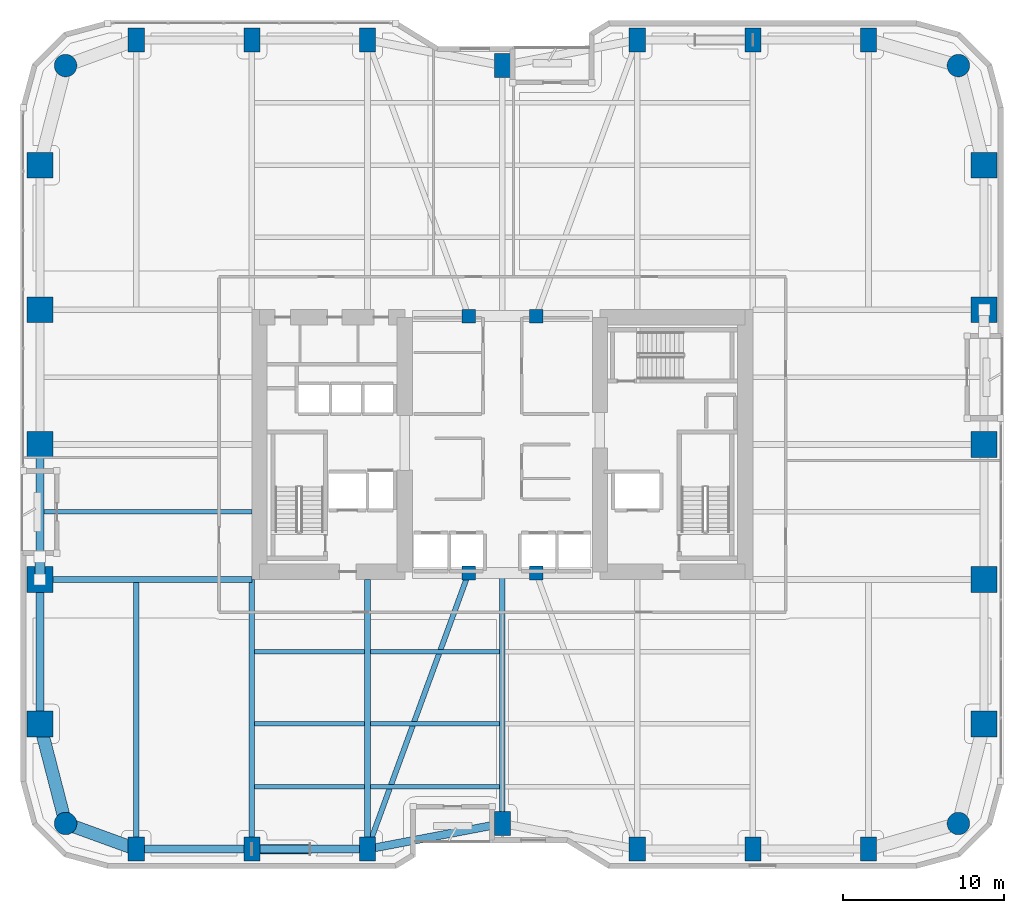
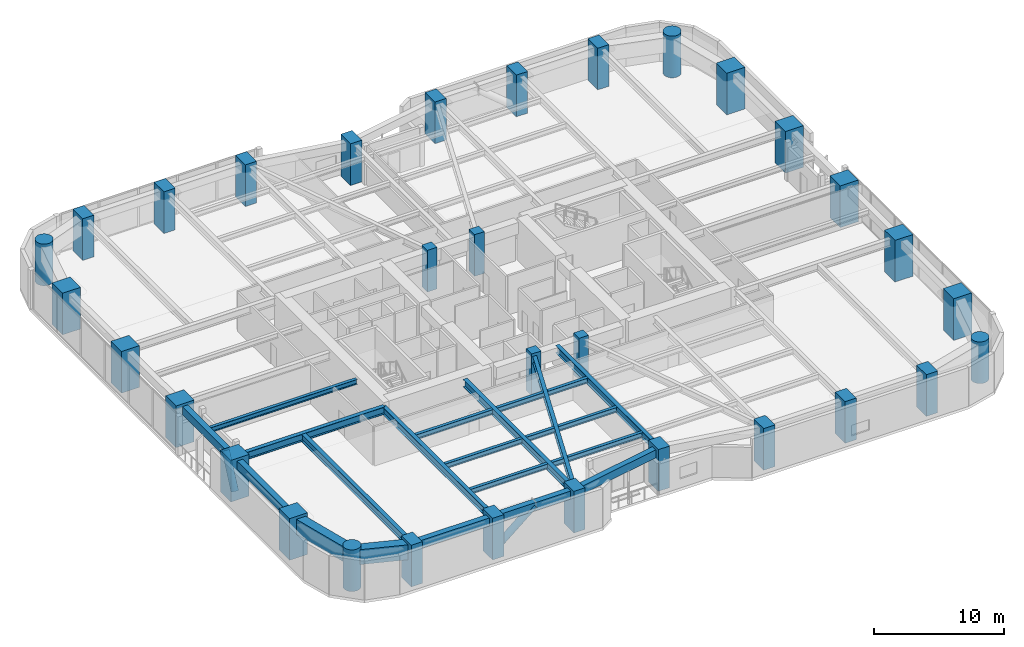
# One storey, part 1 of 29: 32 columns, 20 beams, 2 members.
"""IFC4 building model written with IfcOpenShell, lengths in metres."""

from ifc_helpers import new_model, si_unit, direction, frame, origin, origin_2d, place, context, subcontext, project, spatial, rectangle, circle, hollow_circle, i_section, extrude, material, material_profile, profile_set, type_object, element, save


model = new_model("IFC4")

# Units and contexts
model_context = context("Model", 3, precision=1e-05, world=origin(), true_north=direction((0.0, 1.0)))
body_context = subcontext(model_context, "Body", "Model", "MODEL_VIEW")
ifc_project = project(units=[si_unit("LENGTHUNIT", "METRE"), si_unit("AREAUNIT", "SQUARE_METRE"), si_unit("VOLUMEUNIT", "CUBIC_METRE"), si_unit("PLANEANGLEUNIT", "RADIAN"), si_unit("MASSUNIT", "GRAM", prefix="KILO")], contexts=[model_context])

# Site, building, storey
site_placement = place(None, origin())
site = spatial("IfcSite", under=ifc_project, at=site_placement, CompositionType="ELEMENT")
building_placement = place(site_placement, origin())
building = spatial("IfcBuilding", under=site, at=building_placement, Name="Kiyonajd Concourse Tower", CompositionType="ELEMENT")
storey_placement = place(building_placement, frame((0.0, 0.0, 25.5)))
storey = spatial("IfcBuildingStorey", under=building, at=storey_placement, Name="L07", CompositionType="ELEMENT", Elevation=25.5)

# Columns
ifc_material_1 = material(Name="Concrete C80/95", Category="concrete")
ifc_material_profile_1 = material_profile(ifc_material_1, rectangle(XDim=1.0, YDim=1.5, at=origin_2d()), Name="RC-1500x1000")
ifc_profile_set_1 = profile_set([ifc_material_profile_1], Name="Concrete C80/95")
column_type_1 = type_object("IfcColumnType", Name="CL-BLADE-1500", PredefinedType="COLUMN", material=ifc_profile_set_1)
for number, where, z_axis, x_axis, name in (
    (1, (25.199951171875, 10.800048828125, 0.0), (0.0, 0.0, 1.0), (1.0, 0.0, 0.0), "L07 Perimeter Bundled Tube Column"),
    (2, (25.199951171875, 61.199951171875, 0.0), (0.0, 0.0, 1.0), (1.0, 0.0, 0.0), "L07 Perimeter Bundled Tube Column"),
    (3, (32.39990234375, 10.800048828125, 0.0), (0.0, 0.0, 1.0), (1.0, 0.0, 0.0), "L07 Perimeter Bundled Tube Column"),
    (4, (32.39990234375, 61.199951171875, 0.0), (0.0, 0.0, 1.0), (1.0, 0.0, 0.0), "L07 Perimeter Bundled Tube Column"),
    (5, (39.60009765625, 10.800048828125, 0.0), (0.0, 0.0, 1.0), (1.0, 0.0, 0.0), "L07 Perimeter Bundled Tube Column"),
    (6, (39.60009765625, 61.199951171875, 0.0), (0.0, 0.0, 1.0), (1.0, 0.0, 0.0), "L07 Perimeter Bundled Tube Column"),
    (7, (48.0, 12.39990234375, 0.0), (0.0, 0.0, 1.0), (1.0, 0.0, 0.0), "L07 Perimeter Bundled Tube Column"),
    (8, (48.0, 59.60009765625, 0.0), (0.0, 0.0, 1.0), (1.0, 0.0, 0.0), "L07 Perimeter Bundled Tube Column"),
    (9, (56.39990234375, 10.800048828125, 0.0), (0.0, 0.0, 1.0), (1.0, 0.0, 0.0), "L07 Perimeter Bundled Tube Column"),
    (10, (56.39990234375, 61.199951171875, 0.0), (0.0, 0.0, 1.0), (1.0, 0.0, 0.0), "L07 Perimeter Bundled Tube Column"),
    (11, (63.60009765625, 10.800048828125, 0.0), (0.0, 0.0, 1.0), (1.0, 0.0, 0.0), "L07 Perimeter Bundled Tube Column"),
    (12, (63.60009765625, 61.199951171875, 0.0), (0.0, 0.0, 1.0), (1.0, 0.0, 0.0), "L07 Perimeter Bundled Tube Column"),
    (13, (70.800048828125, 10.800048828125, 0.0), (0.0, 0.0, 1.0), (1.0, 0.0, 0.0), "L07 Perimeter Bundled Tube Column"),
    (14, (70.800048828125, 61.199951171875, 0.0), (0.0, 0.0, 1.0), (1.0, 0.0, 0.0), "L07 Perimeter Bundled Tube Column"),
):
    element("IfcColumn", number, at=place(storey_placement, frame(where, z_axis=z_axis, x_axis=x_axis)), inside=storey, type_object=column_type_1, Name=name, PredefinedType="COLUMN", context=body_context, shape_type="SweptSolid", body=[
        extrude(rectangle(XDim=1.0, YDim=1.5, at=origin_2d()), origin(), (0.0, 0.0, 1.0), 3.89990234375),
    ])
ifc_material_profile_2 = material_profile(ifc_material_1, circle(Radius=0.699951171875, at=origin_2d()), Name="RCC-D1400")
ifc_profile_set_2 = profile_set([ifc_material_profile_2], Name="Concrete C80/95")
column_type_2 = type_object("IfcColumnType", Name="CL-RND-1400", PredefinedType="COLUMN", material=ifc_profile_set_2)
for number, where, z_axis, x_axis, name in (
    (15, (20.800048828125, 12.39990234375, 0.0), (0.0, 0.0, 1.0), (1.0, 0.0, 0.0), "L07 Bundled Tube Corner Column South West"),
    (16, (76.39990234375, 12.39990234375, 0.0), (0.0, 0.0, 1.0), (1.0, 0.0, 0.0), "L07 Bundled Tube Corner Column South East"),
    (17, (76.39990234375, 59.60009765625, 0.0), (0.0, 0.0, 1.0), (1.0, 0.0, 0.0), "L07 Bundled Tube Corner Column North East"),
    (18, (20.800048828125, 59.60009765625, 0.0), (0.0, 0.0, 1.0), (1.0, 0.0, 0.0), "L07 Bundled Tube Corner Column North West"),
):
    element("IfcColumn", number, at=place(storey_placement, frame(where, z_axis=z_axis, x_axis=x_axis)), inside=storey, type_object=column_type_2, Name=name, PredefinedType="COLUMN", context=body_context, shape_type="SweptSolid", body=[
        extrude(circle(Radius=0.699951171875, at=origin_2d()), origin(), (0.0, 0.0, 1.0), 3.89990234375),
    ])
ifc_material_profile_3 = material_profile(ifc_material_1, rectangle(XDim=1.60009765625, YDim=1.60009765625, at=origin_2d()), Name="RC-1600x1600")
ifc_profile_set_3 = profile_set([ifc_material_profile_3], Name="Concrete C80/95")
column_type_3 = type_object("IfcColumnType", Name="CL-TUBE-1600", PredefinedType="COLUMN", material=ifc_profile_set_3)
for number, where, z_axis, x_axis, name in (
    (19, (19.199951171875, 18.60009765625, 0.0), (0.0, 0.0, 1.0), (1.0, 0.0, 0.0), "L07 Perimeter Bundled Tube Column"),
    (20, (78.0, 18.60009765625, 0.0), (0.0, 0.0, 1.0), (1.0, 0.0, 0.0), "L07 Perimeter Bundled Tube Column"),
    (21, (19.199951171875, 27.60009765625, 0.0), (0.0, 0.0, 1.0), (1.0, 0.0, 0.0), "L07 Perimeter Bundled Tube Column"),
    (22, (78.0, 27.60009765625, 0.0), (0.0, 0.0, 1.0), (1.0, 0.0, 0.0), "L07 Perimeter Bundled Tube Column"),
    (23, (19.199951171875, 36.0, 0.0), (0.0, 0.0, 1.0), (1.0, 0.0, 0.0), "L07 Perimeter Bundled Tube Column"),
    (24, (78.0, 36.0, 0.0), (0.0, 0.0, 1.0), (1.0, 0.0, 0.0), "L07 Perimeter Bundled Tube Column"),
    (25, (19.199951171875, 44.39990234375, 0.0), (0.0, 0.0, 1.0), (1.0, 0.0, 0.0), "L07 Perimeter Bundled Tube Column"),
    (26, (78.0, 44.39990234375, 0.0), (0.0, 0.0, 1.0), (1.0, 0.0, 0.0), "L07 Perimeter Bundled Tube Column"),
    (27, (19.199951171875, 53.39990234375, 0.0), (0.0, 0.0, 1.0), (1.0, 0.0, 0.0), "L07 Perimeter Bundled Tube Column"),
    (28, (78.0, 53.39990234375, 0.0), (0.0, 0.0, 1.0), (1.0, 0.0, 0.0), "L07 Perimeter Bundled Tube Column"),
):
    element("IfcColumn", number, at=place(storey_placement, frame(where, z_axis=z_axis, x_axis=x_axis)), inside=storey, type_object=column_type_3, Name=name, PredefinedType="COLUMN", context=body_context, shape_type="SweptSolid", body=[
        extrude(rectangle(XDim=1.60009765625, YDim=1.60009765625, at=origin_2d()), origin(), (0.0, 0.0, 1.0), 3.89990234375),
    ])
ifc_material_2 = material(Name="Concrete C60/75", Category="concrete")
ifc_material_profile_4 = material_profile(ifc_material_2, rectangle(XDim=0.85009765625, YDim=0.85009765625, at=origin_2d()), Name="RC-850x850")
ifc_profile_set_4 = profile_set([ifc_material_profile_4], Name="Concrete C60/75")
column_type_4 = type_object("IfcColumnType", Name="CL-TUBE-850", PredefinedType="COLUMN", material=ifc_profile_set_4)
for number, where, z_axis, x_axis, name in (
    (29, (45.89990234375, 28.0, 0.0), (0.0, 0.0, 1.0), (1.0, 0.0, 0.0), "L07 Core Tie Column South West"),
    (30, (50.10009765625, 28.0, 0.0), (0.0, 0.0, 1.0), (1.0, 0.0, 0.0), "L07 Core Tie Column South East"),
    (31, (45.89990234375, 44.0, 0.0), (0.0, 0.0, 1.0), (1.0, 0.0, 0.0), "L07 Core Tie Column North West"),
    (32, (50.10009765625, 44.0, 0.0), (0.0, 0.0, 1.0), (1.0, 0.0, 0.0), "L07 Core Tie Column North East"),
):
    element("IfcColumn", number, at=place(storey_placement, frame(where, z_axis=z_axis, x_axis=x_axis)), inside=storey, type_object=column_type_4, Name=name, PredefinedType="COLUMN", context=body_context, shape_type="SweptSolid", body=[
        extrude(rectangle(XDim=0.85009765625, YDim=0.85009765625, at=origin_2d()), origin(), (0.0, 0.0, 1.0), 3.89990234375),
    ])

# Beams
ifc_material_3 = material(Name="Steel ASTM A992 Grade 50", Category="steel")
ifc_material_profile_5 = material_profile(ifc_material_3, i_section(OverallWidth=0.280029296875, OverallDepth=0.462890625, WebThickness=0.0107421875, FlangeThickness=0.017333984375, at=origin_2d()), Name="W460X113")
ifc_profile_set_5 = profile_set([ifc_material_profile_5], Name="Steel ASTM A992 Grade 50")
beam_type_1 = type_object("IfcBeamType", Name="BM-JST-460A", PredefinedType="JOIST", material=ifc_profile_set_5)
beam_1_placement = place(storey_placement, frame((32.577392578125, 14.699951171875, 3.408447265625), z_axis=(1.0, 0.0, 0.0), x_axis=(0.0, 1.0, 0.0)))
element("IfcBeam", 33, at=beam_1_placement, inside=storey, type_object=beam_type_1, Name="L07 Secondary Floor Joist", PredefinedType="JOIST", context=body_context, shape_type="SweptSolid", body=[
    extrude(i_section(OverallWidth=0.280029296875, OverallDepth=0.462890625, WebThickness=0.0107421875, FlangeThickness=0.017333984375, at=origin_2d()), origin(), (0.0, 0.0, 1.0), 6.84521484375),
])
beam_2_placement = place(storey_placement, frame((39.777587890625, 14.699951171875, 3.408447265625), z_axis=(1.0, 0.0, 0.0), x_axis=(0.0, 1.0, 0.0)))
element("IfcBeam", 34, at=beam_2_placement, inside=storey, type_object=beam_type_1, Name="L07 Secondary Floor Joist", PredefinedType="JOIST", context=body_context, shape_type="SweptSolid", body=[
    extrude(i_section(OverallWidth=0.280029296875, OverallDepth=0.462890625, WebThickness=0.0107421875, FlangeThickness=0.017333984375, at=origin_2d()), origin(), (0.0, 0.0, 1.0), 8.044921875),
])
beam_3_placement = place(storey_placement, frame((32.577392578125, 18.60009765625, 3.408447265625), z_axis=(1.0, 0.0, 0.0), x_axis=(0.0, 1.0, 0.0)))
element("IfcBeam", 35, at=beam_3_placement, inside=storey, type_object=beam_type_1, Name="L07 Secondary Floor Joist", PredefinedType="JOIST", context=body_context, shape_type="SweptSolid", body=[
    extrude(i_section(OverallWidth=0.280029296875, OverallDepth=0.462890625, WebThickness=0.0107421875, FlangeThickness=0.017333984375, at=origin_2d()), origin(), (0.0, 0.0, 1.0), 6.84521484375),
])
beam_4_placement = place(storey_placement, frame((39.777587890625, 18.60009765625, 3.408447265625), z_axis=(1.0, 0.0, 0.0), x_axis=(0.0, 1.0, 0.0)))
element("IfcBeam", 36, at=beam_4_placement, inside=storey, type_object=beam_type_1, Name="L07 Secondary Floor Joist", PredefinedType="JOIST", context=body_context, shape_type="SweptSolid", body=[
    extrude(i_section(OverallWidth=0.280029296875, OverallDepth=0.462890625, WebThickness=0.0107421875, FlangeThickness=0.017333984375, at=origin_2d()), origin(), (0.0, 0.0, 1.0), 8.044921875),
])
beam_5_placement = place(storey_placement, frame((32.577392578125, 23.10009765625, 3.408447265625), z_axis=(1.0, 0.0, 0.0), x_axis=(0.0, 1.0, 0.0)))
element("IfcBeam", 37, at=beam_5_placement, inside=storey, type_object=beam_type_1, Name="L07 Secondary Floor Joist", PredefinedType="JOIST", context=body_context, shape_type="SweptSolid", body=[
    extrude(i_section(OverallWidth=0.280029296875, OverallDepth=0.462890625, WebThickness=0.0107421875, FlangeThickness=0.017333984375, at=origin_2d()), origin(), (0.0, 0.0, 1.0), 6.84521484375),
])
beam_6_placement = place(storey_placement, frame((39.777587890625, 23.10009765625, 3.408447265625), z_axis=(1.0, 0.0, 0.0), x_axis=(0.0, 1.0, 0.0)))
element("IfcBeam", 38, at=beam_6_placement, inside=storey, type_object=beam_type_1, Name="L07 Secondary Floor Joist", PredefinedType="JOIST", context=body_context, shape_type="SweptSolid", body=[
    extrude(i_section(OverallWidth=0.280029296875, OverallDepth=0.462890625, WebThickness=0.0107421875, FlangeThickness=0.017333984375, at=origin_2d()), origin(), (0.0, 0.0, 1.0), 8.044921875),
])
beam_7_placement = place(storey_placement, frame((19.449951171875, 31.800048828125, 3.408447265625), z_axis=(1.0, 0.0, 0.0), x_axis=(0.0, 1.0, 0.0)))
element("IfcBeam", 39, at=beam_7_placement, inside=storey, type_object=beam_type_1, Name="L07 West Secondary Floor Joist", PredefinedType="JOIST", context=body_context, shape_type="SweptSolid", body=[
    extrude(i_section(OverallWidth=0.280029296875, OverallDepth=0.462890625, WebThickness=0.0107421875, FlangeThickness=0.017333984375, at=origin_2d()), origin(), (0.0, 0.0, 1.0), 12.949951171875),
])
ifc_material_4 = material(Name="Precast concrete C50/60", Category="concrete")
ifc_material_profile_6 = material_profile(ifc_material_4, rectangle(XDim=0.5, YDim=0.75, at=origin_2d()), Name="RCBM-500x750")
ifc_profile_set_6 = profile_set([ifc_material_profile_6], Name="Precast concrete C50/60")
beam_type_2 = type_object("IfcBeamType", Name="BM-SPAN-RC", PredefinedType="SPANDREL", material=ifc_profile_set_6)
beam_8_placement = place(storey_placement, frame((19.199951171875, 27.60009765625, 3.264892578125), z_axis=(0.0, -1.0, 0.0), x_axis=(1.0, 0.0, 0.0)))
element("IfcBeam", 40, at=beam_8_placement, inside=storey, type_object=beam_type_2, Name="L07 Perimeter Bundled Tube Spandrel", PredefinedType="SPANDREL", context=body_context, shape_type="SweptSolid", body=[
    extrude(rectangle(XDim=0.5, YDim=0.75, at=origin_2d()), origin(), (0.0, 0.0, 1.0), 9.0),
])
beam_9_placement = place(storey_placement, frame((25.199951171875, 10.800048828125, 3.264892578125), z_axis=(1.0, 0.0, 0.0), x_axis=(0.0, 1.0, 0.0)))
element("IfcBeam", 41, at=beam_9_placement, inside=storey, type_object=beam_type_2, Name="L07 Perimeter Bundled Tube Spandrel", PredefinedType="SPANDREL", context=body_context, shape_type="SweptSolid", body=[
    extrude(rectangle(XDim=0.5, YDim=0.75, at=origin_2d()), origin(), (0.0, 0.0, 1.0), 7.199951171875),
])
beam_10_placement = place(storey_placement, frame((32.39990234375, 10.800048828125, 3.264892578125), z_axis=(1.0, 0.0, 0.0), x_axis=(0.0, 1.0, 0.0)))
element("IfcBeam", 42, at=beam_10_placement, inside=storey, type_object=beam_type_2, Name="L07 Perimeter Bundled Tube Spandrel", PredefinedType="SPANDREL", context=body_context, shape_type="SweptSolid", body=[
    extrude(rectangle(XDim=0.5, YDim=0.75, at=origin_2d()), origin(), (0.0, 0.0, 1.0), 7.2001953125),
])
beam_11_placement = place(storey_placement, frame((39.60009765625, 10.800048828125, 3.264892578125), z_axis=(0.982341315253, 0.187097675953, 0.0), x_axis=(-0.187097675953, 0.982341315253, 0.0)))
element("IfcBeam", 43, at=beam_11_placement, inside=storey, type_object=beam_type_2, Name="L07 Perimeter Bundled Tube Spandrel", PredefinedType="SPANDREL", context=body_context, shape_type="SweptSolid", body=[
    extrude(rectangle(XDim=0.5, YDim=0.75, at=origin_2d()), origin(), (0.0, 0.0, 1.0), 8.55078125),
])
beam_12_placement = place(storey_placement, frame((19.199951171875, 36.0, 3.264892578125), z_axis=(0.0, -1.0, 0.0), x_axis=(1.0, 0.0, 0.0)))
element("IfcBeam", 44, at=beam_12_placement, inside=storey, type_object=beam_type_2, Name="L07 Perimeter Bundled Tube Spandrel", PredefinedType="SPANDREL", context=body_context, shape_type="SweptSolid", body=[
    extrude(rectangle(XDim=0.5, YDim=0.75, at=origin_2d()), origin(), (0.0, 0.0, 1.0), 8.39990234375),
])
ifc_material_profile_7 = material_profile(ifc_material_3, i_section(OverallWidth=0.326904296875, OverallDepth=0.6220703125, WebThickness=0.015380859375, FlangeThickness=0.0244140625, at=origin_2d()), Name="W610X195")
ifc_profile_set_7 = profile_set([ifc_material_profile_7], Name="Steel ASTM A992 Grade 50")
beam_type_3 = type_object("IfcBeamType", Name="BM-TWR-610A", PredefinedType="BEAM", material=ifc_profile_set_7)
beam_13_placement = place(storey_placement, frame((39.60009765625, 10.800048828125, 3.3291015625), z_axis=(0.343925269715, 0.938997022813, 0.0), x_axis=(-0.938997022813, 0.343925269715, 0.0)))
element("IfcBeam", 45, at=beam_13_placement, inside=storey, type_object=beam_type_3, Name="L07 Core Tie Girder", PredefinedType="BEAM", context=body_context, shape_type="SweptSolid", body=[
    extrude(i_section(OverallWidth=0.326904296875, OverallDepth=0.6220703125, WebThickness=0.015380859375, FlangeThickness=0.0244140625, at=origin_2d()), origin(), (0.0, 0.0, 1.0), 18.3173828125),
])
ifc_material_profile_8 = material_profile(ifc_material_3, i_section(OverallWidth=0.35498046875, OverallDepth=0.695068359375, WebThickness=0.015380859375, FlangeThickness=0.02490234375, at=origin_2d()), Name="W690X217")
ifc_profile_set_8 = profile_set([ifc_material_profile_8], Name="Steel ASTM A992 Grade 50")
beam_type_4 = type_object("IfcBeamType", Name="BM-TWR-690", PredefinedType="BEAM", material=ifc_profile_set_8)
for number, where, z_axis, x_axis, name in (
    (46, (25.199951171875, 10.800048828125, 3.29248046875), (0.0, 1.0, 0.0), (-1.0, 0.0, 0.0), "L07 South Lease Girder"),
    (47, (32.39990234375, 10.800048828125, 3.29248046875), (0.0, 1.0, 0.0), (-1.0, 0.0, 0.0), "L07 South Lease Girder"),
    (48, (39.60009765625, 10.800048828125, 3.29248046875), (0.0, 1.0, 0.0), (-1.0, 0.0, 0.0), "L07 South Lease Girder"),
):
    element("IfcBeam", number, at=place(storey_placement, frame(where, z_axis=z_axis, x_axis=x_axis)), inside=storey, type_object=beam_type_4, Name=name, PredefinedType="BEAM", context=body_context, shape_type="SweptSolid", body=[
        extrude(i_section(OverallWidth=0.35498046875, OverallDepth=0.695068359375, WebThickness=0.015380859375, FlangeThickness=0.02490234375, at=origin_2d()), origin(), (0.0, 0.0, 1.0), 16.800048828125),
    ])
beam_14_placement = place(storey_placement, frame((48.0, 12.39990234375, 3.29248046875), z_axis=(0.0, 1.0, 0.0), x_axis=(-1.0, 0.0, 0.0)))
element("IfcBeam", 49, at=beam_14_placement, inside=storey, type_object=beam_type_4, Name="L07 South Ribbon Girder", PredefinedType="BEAM", context=body_context, shape_type="SweptSolid", body=[
    extrude(i_section(OverallWidth=0.35498046875, OverallDepth=0.695068359375, WebThickness=0.015380859375, FlangeThickness=0.02490234375, at=origin_2d()), origin(), (0.0, 0.0, 1.0), 15.60009765625),
])
beam_15_placement = place(storey_placement, frame((19.199951171875, 27.60009765625, 3.29248046875), z_axis=(1.0, 0.0, 0.0), x_axis=(0.0, 1.0, 0.0)))
element("IfcBeam", 50, at=beam_15_placement, inside=storey, type_object=beam_type_4, Name="L07 West Lease Girder", PredefinedType="BEAM", context=body_context, shape_type="SweptSolid", body=[
    extrude(i_section(OverallWidth=0.35498046875, OverallDepth=0.695068359375, WebThickness=0.015380859375, FlangeThickness=0.02490234375, at=origin_2d()), origin(), (0.0, 0.0, 1.0), 13.199951171875),
])
ifc_material_profile_9 = material_profile(ifc_material_2, rectangle(XDim=0.800048828125, YDim=1.39990234375, at=origin_2d()), Name="RCBM-800x1400")
ifc_profile_set_9 = profile_set([ifc_material_profile_9], Name="Concrete C60/75")
beam_type_5 = type_object("IfcBeamType", Name="BM-XFER-RC", PredefinedType="BEAM", material=ifc_profile_set_9)
beam_16_placement = place(storey_placement, frame((19.199951171875, 18.60009765625, 2.93994140625), z_axis=(0.249884937687, -0.968275538221, 0.0), x_axis=(0.968275538221, 0.249884937687, 0.0)))
element("IfcBeam", 51, at=beam_16_placement, inside=storey, type_object=beam_type_5, Name="L07 Perimeter Bundled Tube Spandrel", PredefinedType="BEAM", context=body_context, shape_type="SweptSolid", body=[
    extrude(rectangle(XDim=0.800048828125, YDim=1.39990234375, at=origin_2d()), origin(), (0.0, 0.0, 1.0), 6.4033203125),
])
beam_17_placement = place(storey_placement, frame((20.800048828125, 12.39990234375, 2.93994140625), z_axis=(0.939801036019, -0.341722127901, 0.0), x_axis=(0.341722127901, 0.939801036019, 0.0)))
element("IfcBeam", 52, at=beam_17_placement, inside=storey, type_object=beam_type_5, Name="L07 Perimeter Bundled Tube Spandrel", PredefinedType="BEAM", context=body_context, shape_type="SweptSolid", body=[
    extrude(rectangle(XDim=0.800048828125, YDim=1.39990234375, at=origin_2d()), origin(), (0.0, 0.0, 1.0), 4.681640625),
])

# Members
ifc_material_5 = material(Name="Steel ASTM A572 Grade 50", Category="steel")
ifc_material_profile_10 = material_profile(ifc_material_5, hollow_circle(Radius=0.304931640625, WallThickness=0.02490234375, at=origin_2d()), Name="CHS-610x25")
ifc_profile_set_10 = profile_set([ifc_material_profile_10], Name="Steel ASTM A572 Grade 50")
member_type = type_object("IfcMemberType", Name="MB-PB-LOW", PredefinedType="BRACE", material=ifc_profile_set_10)
member_1_placement = place(storey_placement, frame((32.39990234375, 10.800048828125, 0.300048828125), z_axis=(0.769280705518, 0.0, 0.638910945373), x_axis=(0.0, 1.0, 0.0)))
element("IfcMember", 53, at=member_1_placement, inside=storey, type_object=member_type, Name="L07 Lower Zone Welded Tube Brace PBS", PredefinedType="BRACE", context=body_context, shape_type="SweptSolid", body=[
    extrude(hollow_circle(Radius=0.304931640625, WallThickness=0.02490234375, at=origin_2d()), origin(), (0.0, 0.0, 1.0), 4.679931640625),
])
member_2_placement = place(storey_placement, frame((19.199951171875, 27.60009765625, 0.300048828125), z_axis=(0.0, 0.424022702926, 0.905651559598), x_axis=(-1.0, 0.0, 0.0)))
element("IfcMember", 54, at=member_2_placement, inside=storey, type_object=member_type, Name="L07 Lower Zone Welded Tube Brace PBW", PredefinedType="BRACE", context=body_context, shape_type="SweptSolid", body=[
    extrude(hollow_circle(Radius=0.304931640625, WallThickness=0.02490234375, at=origin_2d()), origin(), (0.0, 0.0, 1.0), 3.301513671875),
])

save(model, "model.ifc")
